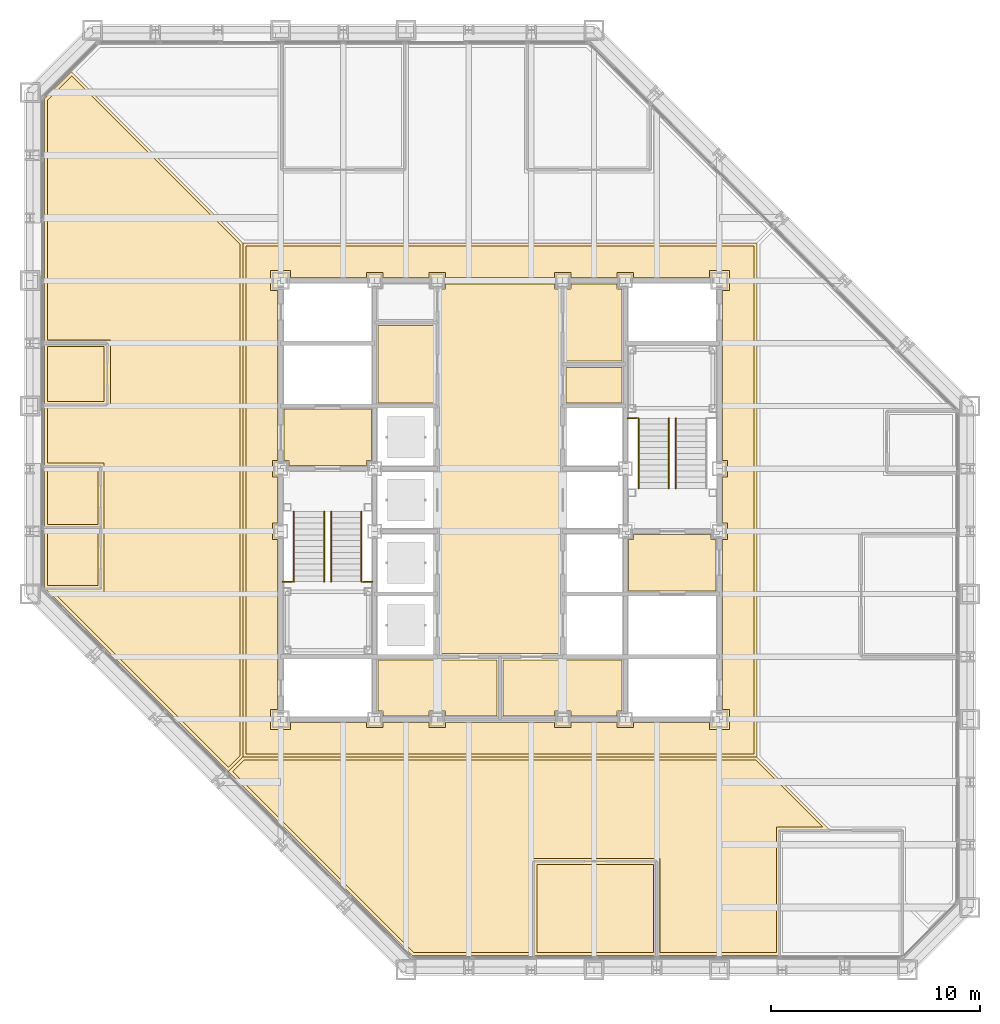
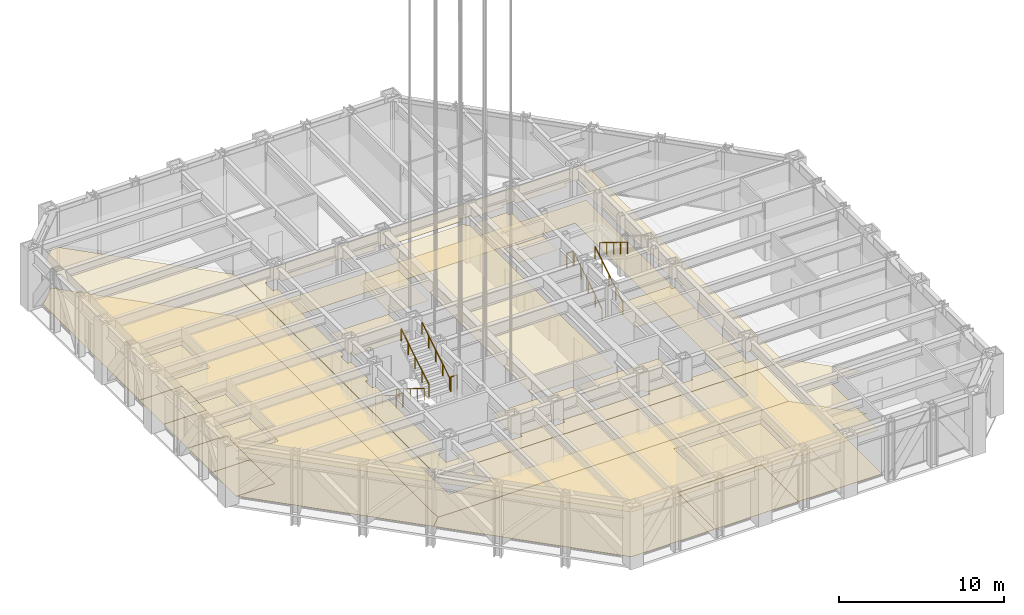
# One storey, part 15 of 26: 22 coverings, 10 railings.
"""IFC4 building model written with IfcOpenShell, lengths in metres."""

from ifc_helpers import new_model, si_unit, direction, frame, origin, origin_2d, place, context, subcontext, project, spatial, polyline, circle, outline, extrude, material, layer, layer_set, type_object, element, save


model = new_model("IFC4")

# Units and contexts
model_context = context("Model", 3, precision=1e-05, world=origin(), true_north=direction((0.0, 1.0)))
body_context = subcontext(model_context, "Body", "Model", "MODEL_VIEW")
ifc_project = project(units=[si_unit("LENGTHUNIT", "METRE"), si_unit("AREAUNIT", "SQUARE_METRE"), si_unit("VOLUMEUNIT", "CUBIC_METRE"), si_unit("PLANEANGLEUNIT", "RADIAN"), si_unit("MASSUNIT", "GRAM", prefix="KILO")], contexts=[model_context])

# Site, building, storey
site_placement = place(None, origin())
site = spatial("IfcSite", under=ifc_project, at=site_placement, CompositionType="ELEMENT")
building_placement = place(site_placement, origin())
building = spatial("IfcBuilding", under=site, at=building_placement, Name="Chuquiago Exchange Tower", CompositionType="ELEMENT")
storey_placement = place(building_placement, frame((0.0, 0.0, 102.300048828125)))
storey = spatial("IfcBuildingStorey", under=building, at=storey_placement, Name="L21", CompositionType="ELEMENT", Elevation=102.300048828125)

# Coverings
ifc_material_1 = material(Name="Mineral fibre tile, 600 x 600, on pale metal grid", Category="mineral fibre")
ifc_layer_1 = layer(ifc_material_1, 0.02001953125)
ifc_layer_set_1 = layer_set([ifc_layer_1], Name="CL1 suspended tile ceiling 20")
covering_type_1 = type_object("IfcCoveringType", Name="CL1 suspended tile ceiling 20", PredefinedType="CEILING", material=ifc_layer_set_1)
covering_1_placement = place(storey_placement, frame((0.0, 0.0, 3.199951171875)))
element("IfcCovering", 1, at=covering_1_placement, inside=storey, type_object=covering_type_1, Name="Ceiling Reception", PredefinedType="CEILING", context=body_context, shape_type="SweptSolid", body=[
    extrude(outline(polyline([(24.2744140625, 5.050048828125), (29.85009765625, 5.050048828125), (29.85009765625, 0.85009765625), (24.2744140625, 0.85009765625), (24.2744140625, 5.050048828125)])), origin(), (0.0, 0.0, 1.0), 0.02001953125),
])
covering_2_placement = place(storey_placement, frame((0.0, 0.0, 3.199951171875)))
element("IfcCovering", 2, at=covering_2_placement, inside=storey, type_object=covering_type_1, Name="Ceiling Focus room", PredefinedType="CEILING", context=body_context, shape_type="SweptSolid", body=[
    extrude(outline(polyline([(0.85009765625, 21.036376953125), (3.25, 21.036376953125), (3.25, 18.3984375), (0.85009765625, 18.3984375), (0.85009765625, 21.036376953125)])), origin(), (0.0, 0.0, 1.0), 0.02001953125),
])
covering_3_placement = place(storey_placement, frame((0.0, 0.0, 3.199951171875)))
element("IfcCovering", 3, at=covering_3_placement, inside=storey, type_object=covering_type_1, Name="Ceiling Focus room", PredefinedType="CEILING", context=body_context, shape_type="SweptSolid", body=[
    extrude(outline(polyline([(3.25, 23.974365234375), (3.25, 21.33642578125), (0.85009765625, 21.33642578125), (0.85009765625, 23.974365234375), (3.25, 23.974365234375)])), origin(), (0.0, 0.0, 1.0), 0.02001953125),
])
covering_4_placement = place(storey_placement, frame((0.0, 0.0, 3.199951171875)))
element("IfcCovering", 4, at=covering_4_placement, inside=storey, type_object=covering_type_1, Name="Ceiling Store", PredefinedType="CEILING", context=body_context, shape_type="SweptSolid", body=[
    extrude(outline(polyline([(3.550048828125, 29.85009765625), (3.550048828125, 27.212158203125), (0.85009765625, 27.212158203125), (0.85009765625, 29.85009765625), (3.550048828125, 29.85009765625)])), origin(), (0.0, 0.0, 1.0), 0.02001953125),
])
covering_5_placement = place(storey_placement, frame((0.0, 0.0, 3.199951171875)))
element("IfcCovering", 5, at=covering_5_placement, inside=storey, type_object=covering_type_1, Name="Ceiling Visitor reception", PredefinedType="CEILING", context=body_context, shape_type="SweptSolid", body=[
    extrude(outline(polyline([(35.7255859375, 0.85009765625), (30.14990234375, 0.85009765625), (30.14990234375, 5.35009765625), (23.974365234375, 5.35009765625), (23.974365234375, 0.85009765625), (18.35205078125, 0.85009765625), (9.70703125, 9.4951171875), (10.26220703125, 10.050048828125), (34.73779296875, 10.050048828125), (37.93798828125, 6.85009765625), (35.7255859375, 6.85009765625), (35.7255859375, 0.85009765625)])), origin(), (0.0, 0.0, 1.0), 0.02001953125),
])
covering_6_placement = place(storey_placement, frame((0.0, 0.0, 3.199951171875)))
element("IfcCovering", 6, at=covering_6_placement, inside=storey, type_object=covering_type_1, Name="Ceiling Member services office", PredefinedType="CEILING", context=body_context, shape_type="SweptSolid", body=[
    extrude(outline(polyline([(0.85009765625, 30.14990234375), (0.85009765625, 41.64794921875), (1.9951171875, 42.79296875), (10.050048828125, 34.73779296875), (10.050048828125, 10.26220703125), (9.4951171875, 9.70703125), (1.103515625, 18.098388671875), (3.550048828125, 18.098388671875), (3.550048828125, 24.2744140625), (0.85009765625, 24.2744140625), (0.85009765625, 26.912109375), (3.85009765625, 26.912109375), (3.85009765625, 30.14990234375), (0.85009765625, 30.14990234375)])), origin(), (0.0, 0.0, 1.0), 0.02001953125),
])
covering_7_placement = place(storey_placement, frame((0.0, 0.0, 3.199951171875)))
element("IfcCovering", 7, at=covering_7_placement, inside=storey, type_object=covering_type_1, Name="Ceiling First aid room", PredefinedType="CEILING", context=body_context, shape_type="SweptSolid", body=[
    extrude(outline(polyline([(25.64990234375, 27.14990234375), (25.64990234375, 28.85009765625), (28.35009765625, 28.85009765625), (28.35009765625, 27.14990234375), (25.64990234375, 27.14990234375)])), origin(), (0.0, 0.0, 1.0), 0.02001953125),
])
ifc_material_2 = material(Name="Moisture resistant plasterboard on metal frame", Category="gypsum")
ifc_layer_2 = layer(ifc_material_2, 0.014892578125)
ifc_layer_set_2 = layer_set([ifc_layer_2], Name="CL2 moisture resistant ceiling 15")
covering_type_2 = type_object("IfcCoveringType", Name="CL2 moisture resistant ceiling 15", PredefinedType="CEILING", material=ifc_layer_set_2)
covering_8_placement = place(storey_placement, frame((0.0, 0.0, 2.599853515625)))
element("IfcCovering", 8, at=covering_8_placement, inside=storey, type_object=covering_type_2, Name="Ceiling Male WC", PredefinedType="CEILING", context=body_context, shape_type="SweptSolid", body=[
    extrude(outline(polyline([(16.64990234375, 27.14990234375), (16.64990234375, 30.85009765625), (19.35009765625, 30.85009765625), (19.35009765625, 27.14990234375), (16.64990234375, 27.14990234375)])), origin(), (0.0, 0.0, 1.0), 0.01513671875),
])
covering_9_placement = place(storey_placement, frame((0.0, 0.0, 2.599853515625)))
element("IfcCovering", 9, at=covering_9_placement, inside=storey, type_object=covering_type_2, Name="Ceiling Female WC", PredefinedType="CEILING", context=body_context, shape_type="SweptSolid", body=[
    extrude(outline(polyline([(25.64990234375, 29.14990234375), (25.64990234375, 32.60009765625), (25.89990234375, 32.60009765625), (25.89990234375, 32.85009765625), (28.10009765625, 32.85009765625), (28.10009765625, 32.60009765625), (28.35009765625, 32.60009765625), (28.35009765625, 29.14990234375), (25.64990234375, 29.14990234375)])), origin(), (0.0, 0.0, 1.0), 0.01513671875),
])
covering_10_placement = place(storey_placement, frame((0.0, 0.0, 2.599853515625)))
element("IfcCovering", 10, at=covering_10_placement, inside=storey, type_object=covering_type_2, Name="Ceiling Accessible WC", PredefinedType="CEILING", context=body_context, shape_type="SweptSolid", body=[
    extrude(outline(polyline([(25.89990234375, 12.14990234375), (25.89990234375, 12.39990234375), (25.10009765625, 12.39990234375), (25.10009765625, 12.14990234375), (22.64990234375, 12.14990234375), (22.64990234375, 14.85009765625), (28.35009765625, 14.85009765625), (28.35009765625, 12.39990234375), (28.10009765625, 12.39990234375), (28.10009765625, 12.14990234375), (25.89990234375, 12.14990234375)])), origin(), (0.0, 0.0, 1.0), 0.01513671875),
])
covering_11_placement = place(storey_placement, frame((0.0, 0.0, 2.599853515625)))
element("IfcCovering", 11, at=covering_11_placement, inside=storey, type_object=covering_type_2, Name="Ceiling Cleaner", PredefinedType="CEILING", context=body_context, shape_type="SweptSolid", body=[
    extrude(outline(polyline([(19.89990234375, 12.14990234375), (19.89990234375, 12.39990234375), (19.10009765625, 12.39990234375), (19.10009765625, 12.14990234375), (16.89990234375, 12.14990234375), (16.89990234375, 12.39990234375), (16.64990234375, 12.39990234375), (16.64990234375, 14.85009765625), (22.35009765625, 14.85009765625), (22.35009765625, 12.14990234375), (19.89990234375, 12.14990234375)])), origin(), (0.0, 0.0, 1.0), 0.01513671875),
])
ifc_material_3 = material(Name="Pale metal plank ceiling, perforated", Category="aluminium")
ifc_layer_3 = layer(ifc_material_3, 0.030029296875)
ifc_layer_set_3 = layer_set([ifc_layer_3], Name="CL3 metal plank ceiling 30")
covering_type_3 = type_object("IfcCoveringType", Name="CL3 metal plank ceiling 30", PredefinedType="CEILING", material=ifc_layer_set_3)
covering_12_placement = place(storey_placement, frame((0.0, 0.0, 2.800048828125)))
element("IfcCovering", 12, at=covering_12_placement, inside=storey, type_object=covering_type_3, Name="Ceiling Sky lobby", PredefinedType="CEILING", context=body_context, shape_type="SweptSolid", body=[
    extrude(outline(polyline([(10.35009765625, 34.64990234375), (34.64990234375, 34.64990234375), (34.64990234375, 10.35009765625), (10.35009765625, 10.35009765625), (10.35009765625, 34.64990234375)]), holes=[polyline([(16.10009765625, 11.85009765625), (16.10009765625, 11.60009765625), (16.89990234375, 11.60009765625), (16.89990234375, 11.85009765625), (19.10009765625, 11.85009765625), (19.10009765625, 11.60009765625), (19.89990234375, 11.60009765625), (19.89990234375, 11.85009765625), (25.10009765625, 11.85009765625), (25.10009765625, 11.60009765625), (25.89990234375, 11.60009765625), (25.89990234375, 11.85009765625), (28.10009765625, 11.85009765625), (28.10009765625, 11.60009765625), (28.89990234375, 11.60009765625), (28.89990234375, 11.85009765625), (32.52490234375, 11.85009765625), (32.52490234375, 11.52490234375), (33.47509765625, 11.52490234375), (33.47509765625, 12.47509765625), (33.14990234375, 12.47509765625), (33.14990234375, 20.60009765625), (33.39990234375, 20.60009765625), (33.39990234375, 21.39990234375), (33.14990234375, 21.39990234375), (33.14990234375, 23.60009765625), (33.39990234375, 23.60009765625), (33.39990234375, 24.39990234375), (33.14990234375, 24.39990234375), (33.14990234375, 32.52490234375), (33.47509765625, 32.52490234375), (33.47509765625, 33.47509765625), (32.52490234375, 33.47509765625), (32.52490234375, 33.14990234375), (28.89990234375, 33.14990234375), (28.89990234375, 33.39990234375), (28.10009765625, 33.39990234375), (28.10009765625, 33.14990234375), (25.89990234375, 33.14990234375), (25.89990234375, 33.39990234375), (25.10009765625, 33.39990234375), (25.10009765625, 33.14990234375), (19.89990234375, 33.14990234375), (19.89990234375, 33.39990234375), (19.10009765625, 33.39990234375), (19.10009765625, 33.14990234375), (16.89990234375, 33.14990234375), (16.89990234375, 33.39990234375), (16.10009765625, 33.39990234375), (16.10009765625, 33.14990234375), (12.47509765625, 33.14990234375), (12.47509765625, 33.47509765625), (11.52490234375, 33.47509765625), (11.52490234375, 32.52490234375), (11.85009765625, 32.52490234375), (11.85009765625, 24.39990234375), (11.60009765625, 24.39990234375), (11.60009765625, 23.60009765625), (11.85009765625, 23.60009765625), (11.85009765625, 21.39990234375), (11.60009765625, 21.39990234375), (11.60009765625, 20.60009765625), (11.85009765625, 20.60009765625), (11.85009765625, 12.47509765625), (11.52490234375, 12.47509765625), (11.52490234375, 11.52490234375), (12.47509765625, 11.52490234375), (12.47509765625, 11.85009765625), (16.10009765625, 11.85009765625)])]), origin(), (0.0, 0.0, 1.0), 0.02978515625),
])
covering_13_placement = place(storey_placement, frame((0.0, 0.0, 2.800048828125)))
element("IfcCovering", 13, at=covering_13_placement, inside=storey, type_object=covering_type_3, Name="Ceiling Lift lobby", PredefinedType="CEILING", context=body_context, shape_type="SweptSolid", body=[
    extrude(outline(polyline([(19.64990234375, 15.14990234375), (19.64990234375, 32.60009765625), (19.89990234375, 32.60009765625), (19.89990234375, 32.85009765625), (25.10009765625, 32.85009765625), (25.10009765625, 32.60009765625), (25.35009765625, 32.60009765625), (25.35009765625, 15.14990234375), (19.64990234375, 15.14990234375)])), origin(), (0.0, 0.0, 1.0), 0.02978515625),
])
covering_14_placement = place(storey_placement, frame((0.0, 0.0, 2.800048828125)))
element("IfcCovering", 14, at=covering_14_placement, inside=storey, type_object=covering_type_3, Name="Ceiling Firefighting lobby", PredefinedType="CEILING", context=body_context, shape_type="SweptSolid", body=[
    extrude(outline(polyline([(12.39990234375, 24.14990234375), (12.39990234375, 24.39990234375), (12.14990234375, 24.39990234375), (12.14990234375, 26.85009765625), (16.35009765625, 26.85009765625), (16.35009765625, 24.39990234375), (16.10009765625, 24.39990234375), (16.10009765625, 24.14990234375), (12.39990234375, 24.14990234375)])), origin(), (0.0, 0.0, 1.0), 0.02978515625),
])
covering_15_placement = place(storey_placement, frame((0.0, 0.0, 2.800048828125)))
element("IfcCovering", 15, at=covering_15_placement, inside=storey, type_object=covering_type_3, Name="Ceiling Firefighting lobby", PredefinedType="CEILING", context=body_context, shape_type="SweptSolid", body=[
    extrude(outline(polyline([(28.64990234375, 18.14990234375), (28.64990234375, 20.60009765625), (28.89990234375, 20.60009765625), (28.89990234375, 20.85009765625), (32.60009765625, 20.85009765625), (32.60009765625, 20.60009765625), (32.85009765625, 20.60009765625), (32.85009765625, 18.14990234375), (28.64990234375, 18.14990234375)])), origin(), (0.0, 0.0, 1.0), 0.02978515625),
])
ifc_material_4 = material(Name="Porcelain floor tile, 600 x 600, on adhesive bed", Category="ceramic")
ifc_layer_4 = layer(ifc_material_4, 0.014892578125)
ifc_layer_set_4 = layer_set([ifc_layer_4], Name="FL2 porcelain tile 15")
covering_type_4 = type_object("IfcCoveringType", Name="FL2 porcelain tile 15", PredefinedType="FLOORING", material=ifc_layer_set_4)
covering_16_placement = place(storey_placement, origin())
element("IfcCovering", 16, at=covering_16_placement, inside=storey, type_object=covering_type_4, Name="Floor finish Reception", PredefinedType="FLOORING", context=body_context, shape_type="SweptSolid", body=[
    extrude(outline(polyline([(24.124267578125, 0.699951171875), (24.124267578125, 5.199951171875), (30.0, 5.199951171875), (30.0, 0.699951171875), (24.124267578125, 0.699951171875)])), origin(), (0.0, 0.0, 1.0), 0.014892578125),
])
covering_17_placement = place(storey_placement, origin())
element("IfcCovering", 17, at=covering_17_placement, inside=storey, type_object=covering_type_4, Name="Floor finish Focus room", PredefinedType="FLOORING", context=body_context, shape_type="SweptSolid", body=[
    extrude(outline(polyline([(0.699951171875, 21.186279296875), (3.39990234375, 21.186279296875), (3.39990234375, 18.24853515625), (0.741455078125, 18.24853515625), (0.699951171875, 18.289794921875), (0.699951171875, 21.186279296875)])), origin(), (0.0, 0.0, 1.0), 0.014892578125),
])
covering_18_placement = place(storey_placement, origin())
element("IfcCovering", 18, at=covering_18_placement, inside=storey, type_object=covering_type_4, Name="Floor finish Focus room", PredefinedType="FLOORING", context=body_context, shape_type="SweptSolid", body=[
    extrude(outline(polyline([(0.699951171875, 24.124267578125), (3.39990234375, 24.124267578125), (3.39990234375, 21.186279296875), (0.699951171875, 21.186279296875), (0.699951171875, 24.124267578125)])), origin(), (0.0, 0.0, 1.0), 0.014892578125),
])
covering_19_placement = place(storey_placement, origin())
element("IfcCovering", 19, at=covering_19_placement, inside=storey, type_object=covering_type_4, Name="Floor finish Store", PredefinedType="FLOORING", context=body_context, shape_type="SweptSolid", body=[
    extrude(outline(polyline([(0.699951171875, 30.0), (3.699951171875, 30.0), (3.699951171875, 27.06201171875), (0.699951171875, 27.06201171875), (0.699951171875, 30.0)])), origin(), (0.0, 0.0, 1.0), 0.014892578125),
])
covering_20_placement = place(storey_placement, origin())
element("IfcCovering", 20, at=covering_20_placement, inside=storey, type_object=covering_type_4, Name="Floor finish Sky lobby", PredefinedType="FLOORING", context=body_context, shape_type="SweptSolid", body=[
    extrude(outline(polyline([(10.199951171875, 10.199951171875), (10.199951171875, 34.800048828125), (34.800048828125, 34.800048828125), (34.800048828125, 10.199951171875), (10.199951171875, 10.199951171875)]), holes=[polyline([(12.0, 12.0), (33.0, 12.0), (33.0, 33.0), (12.0, 33.0), (12.0, 12.0)])]), origin(), (0.0, 0.0, 1.0), 0.014892578125),
])
covering_21_placement = place(storey_placement, origin())
element("IfcCovering", 21, at=covering_21_placement, inside=storey, type_object=covering_type_4, Name="Floor finish Visitor reception", PredefinedType="FLOORING", context=body_context, shape_type="SweptSolid", body=[
    extrude(outline(polyline([(35.875732421875, 6.699951171875), (35.875732421875, 0.699951171875), (30.0, 0.699951171875), (30.0, 5.199951171875), (24.124267578125, 5.199951171875), (24.124267578125, 0.699951171875), (18.289794921875, 0.699951171875), (9.4951171875, 9.4951171875), (10.199951171875, 10.199951171875), (34.800048828125, 10.199951171875), (38.300048828125, 6.699951171875), (35.875732421875, 6.699951171875)])), origin(), (0.0, 0.0, 1.0), 0.014892578125),
])
covering_22_placement = place(storey_placement, origin())
element("IfcCovering", 22, at=covering_22_placement, inside=storey, type_object=covering_type_4, Name="Floor finish Member services office", PredefinedType="FLOORING", context=body_context, shape_type="SweptSolid", body=[
    extrude(outline(polyline([(3.699951171875, 30.0), (0.699951171875, 30.0), (0.699951171875, 41.710205078125), (1.9951171875, 43.0048828125), (10.199951171875, 34.800048828125), (10.199951171875, 10.199951171875), (9.4951171875, 9.4951171875), (0.741455078125, 18.24853515625), (3.39990234375, 18.24853515625), (3.39990234375, 24.124267578125), (0.699951171875, 24.124267578125), (0.699951171875, 27.06201171875), (3.699951171875, 27.06201171875), (3.699951171875, 30.0)])), origin(), (0.0, 0.0, 1.0), 0.014892578125),
])

# Railings
ifc_material_5 = material(Name="Pale metal guard with safety glass infill", Category="glass")
railing_type_1 = type_object("IfcRailingType", Name="GR1 guard 1100", PredefinedType="GUARDRAIL", material=ifc_material_5)
for number, where, name in (
    (23, (12.10009765625, 18.590087890625, 2.25), "Guard ST1 L21 landing 2"),
    (24, (15.945068359375, 18.590087890625, 2.25), "Guard ST1 L21 landing 2"),
    (25, (28.60009765625, 26.409912109375, 2.25), "Guard ST2 L21 landing 2"),
):
    element("IfcRailing", number, at=place(storey_placement, frame(where)), inside=storey, type_object=railing_type_1, Name=name, PredefinedType="GUARDRAIL", context=body_context, shape_type="SweptSolid", body=[
        extrude(circle(Radius=0.02392578125, at=origin_2d()), frame((0.0, 0.0, 1.076171875), z_axis=(1.0, 0.0, 0.0), x_axis=(0.0, 1.0, 0.0)), (0.0, 0.0, 1.0), 0.454833984375),
        extrude(circle(Radius=0.02099609375, at=origin_2d()), origin(), (0.0, 0.0, 1.0), 1.052001953125),
        extrude(circle(Radius=0.02099609375, at=origin_2d()), frame((0.454833984375, 0.0, 0.0)), (0.0, 0.0, 1.0), 1.052001953125),
    ])
ifc_material_6 = material(Name="Pale metal handrail", Category="steel")
railing_type_2 = type_object("IfcRailingType", Name="HR1 handrail 900", PredefinedType="HANDRAIL", material=ifc_material_6)
for number, where, name in (
    (26, (12.635009765625, 21.949951171875, 0.173095703125), "Handrail ST1 L21 flight 1"),
    (27, (14.0849609375, 21.949951171875, 0.173095703125), "Handrail ST1 L21 flight 1"),
):
    element("IfcRailing", number, at=place(storey_placement, frame(where)), inside=storey, type_object=railing_type_2, Name=name, PredefinedType="HANDRAIL", context=body_context, shape_type="SweptSolid", body=[
        extrude(circle(Radius=0.02392578125, at=origin_2d()), frame((0.0, 0.0, 0.8759765625), z_axis=(0.0, -0.850606129759, 0.525803396734), x_axis=(1.0, 0.0, 0.0)), (0.0, 0.0, 1.0), 3.949951171875),
        extrude(circle(Radius=0.02099609375, at=origin_2d()), origin(), (0.0, 0.0, 1.0), 0.851806640625),
        extrude(circle(Radius=0.02099609375, at=origin_2d()), frame((0.0, -0.83984375, 0.519287109375)), (0.0, 0.0, 1.0), 0.851806640625),
        extrude(circle(Radius=0.02099609375, at=origin_2d()), frame((0.0, -1.679931640625, 1.03857421875)), (0.0, 0.0, 1.0), 0.851806640625),
        extrude(circle(Radius=0.02099609375, at=origin_2d()), frame((0.0, -2.52001953125, 1.5576171875)), (0.0, 0.0, 1.0), 0.851806640625),
        extrude(circle(Radius=0.02099609375, at=origin_2d()), frame((0.0, -3.35986328125, 2.076904296875)), (0.0, 0.0, 1.0), 0.851806640625),
    ])
for number, where, name in (
    (28, (15.864990234375, 18.590087890625, 2.423095703125), "Handrail ST1 L21 flight 2"),
    (29, (14.4150390625, 18.590087890625, 2.423095703125), "Handrail ST1 L21 flight 2"),
    (30, (30.5849609375, 23.050048828125, 0.173095703125), "Handrail ST2 L21 flight 1"),
    (31, (29.135009765625, 23.050048828125, 0.173095703125), "Handrail ST2 L21 flight 1"),
):
    element("IfcRailing", number, at=place(storey_placement, frame(where)), inside=storey, type_object=railing_type_2, Name=name, PredefinedType="HANDRAIL", context=body_context, shape_type="SweptSolid", body=[
        extrude(circle(Radius=0.02392578125, at=origin_2d()), frame((0.0, 0.0, 0.8759765625), z_axis=(0.0, 0.850606129759, 0.525803396734), x_axis=(-1.0, 0.0, 0.0)), (0.0, 0.0, 1.0), 3.949951171875),
        extrude(circle(Radius=0.02099609375, at=origin_2d()), origin(), (0.0, 0.0, 1.0), 0.851806640625),
        extrude(circle(Radius=0.02099609375, at=origin_2d()), frame((0.0, 0.83984375, 0.519287109375)), (0.0, 0.0, 1.0), 0.851806640625),
        extrude(circle(Radius=0.02099609375, at=origin_2d()), frame((0.0, 1.679931640625, 1.03857421875)), (0.0, 0.0, 1.0), 0.851806640625),
        extrude(circle(Radius=0.02099609375, at=origin_2d()), frame((0.0, 2.52001953125, 1.5576171875)), (0.0, 0.0, 1.0), 0.851806640625),
        extrude(circle(Radius=0.02099609375, at=origin_2d()), frame((0.0, 3.35986328125, 2.076904296875)), (0.0, 0.0, 1.0), 0.851806640625),
    ])
railing_placement = place(storey_placement, frame((30.9150390625, 26.409912109375, 2.423095703125)))
element("IfcRailing", 32, at=railing_placement, inside=storey, type_object=railing_type_2, Name="Handrail ST2 L21 flight 2", PredefinedType="HANDRAIL", context=body_context, shape_type="SweptSolid", body=[
    extrude(circle(Radius=0.02392578125, at=origin_2d()), frame((0.0, 0.0, 0.8759765625), z_axis=(0.0, -0.850606129759, 0.525803396734), x_axis=(1.0, 0.0, 0.0)), (0.0, 0.0, 1.0), 3.949951171875),
    extrude(circle(Radius=0.02099609375, at=origin_2d()), origin(), (0.0, 0.0, 1.0), 0.851806640625),
    extrude(circle(Radius=0.02099609375, at=origin_2d()), frame((0.0, -0.83984375, 0.519287109375)), (0.0, 0.0, 1.0), 0.851806640625),
    extrude(circle(Radius=0.02099609375, at=origin_2d()), frame((0.0, -1.679931640625, 1.03857421875)), (0.0, 0.0, 1.0), 0.851806640625),
    extrude(circle(Radius=0.02099609375, at=origin_2d()), frame((0.0, -2.52001953125, 1.5576171875)), (0.0, 0.0, 1.0), 0.851806640625),
    extrude(circle(Radius=0.02099609375, at=origin_2d()), frame((0.0, -3.35986328125, 2.076904296875)), (0.0, 0.0, 1.0), 0.851806640625),
])

save(model, "model.ifc")
